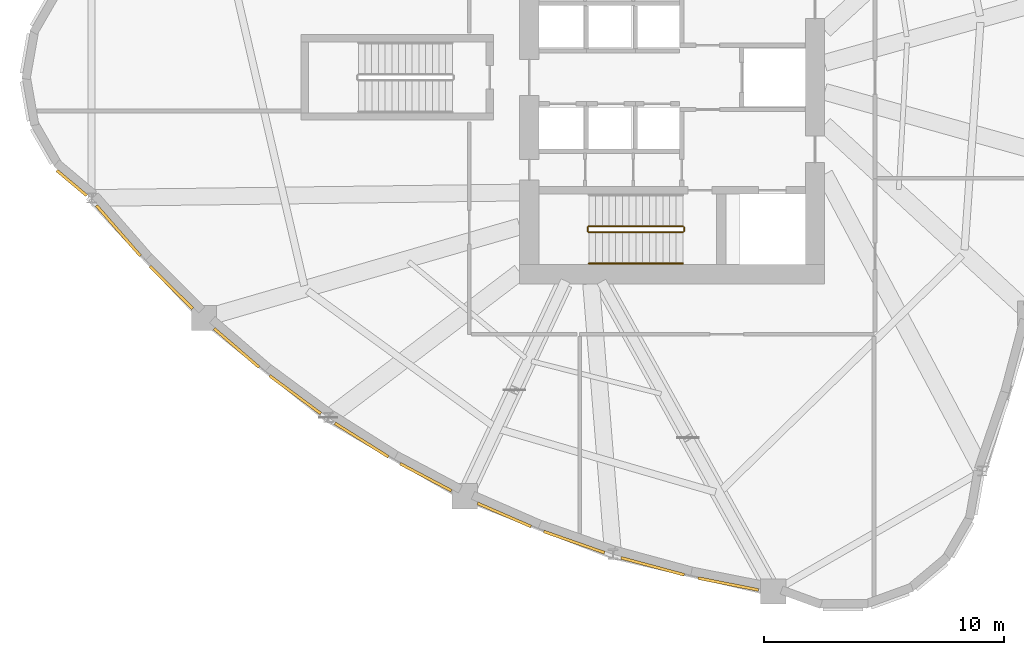
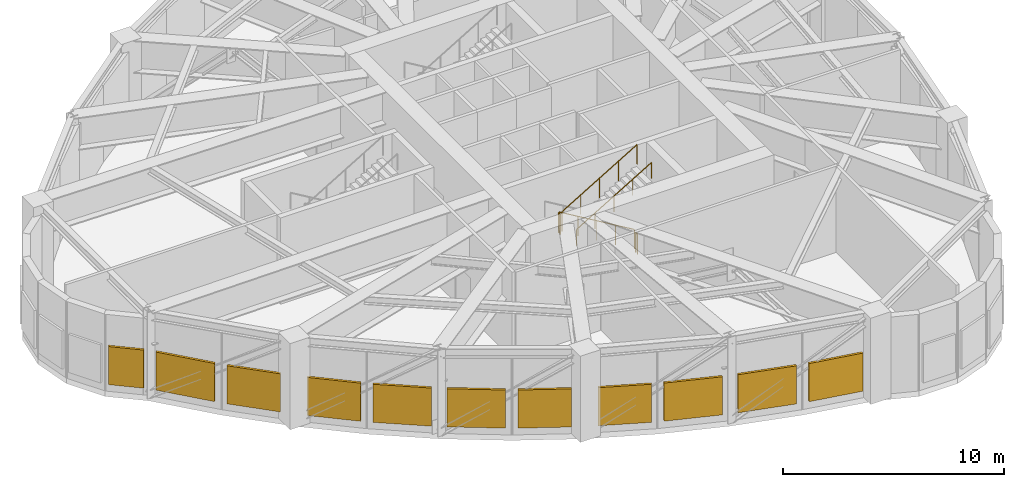
# One storey, part 7 of 9: 11 shading devices, 5 railings.
"""IFC4 building model written with IfcOpenShell, lengths in metres."""

from ifc_helpers import new_model, si_unit, direction, frame, origin, origin_2d, place, context, subcontext, project, spatial, rectangle, circle, extrude, source, transform, mapped, material, layer, layer_set, type_object, element, save


model = new_model("IFC4")

# Units and contexts
model_context = context("Model", 3, precision=1e-05, world=origin(), true_north=direction((0.0, 1.0)))
body_context = subcontext(model_context, "Body", "Model", "MODEL_VIEW")
ifc_project = project(units=[si_unit("LENGTHUNIT", "METRE"), si_unit("AREAUNIT", "SQUARE_METRE"), si_unit("VOLUMEUNIT", "CUBIC_METRE"), si_unit("PLANEANGLEUNIT", "RADIAN"), si_unit("MASSUNIT", "GRAM", prefix="KILO")], contexts=[model_context])

# Site, building, storey
site_placement = place(None, origin())
site = spatial("IfcSite", under=ifc_project, at=site_placement, CompositionType="ELEMENT")
building_placement = place(site_placement, origin())
building = spatial("IfcBuilding", under=site, at=building_placement, Name="Qafzar Sky-Pleat Residences", CompositionType="ELEMENT")
storey_placement = place(building_placement, frame((0.0, 0.0, 65.39990234375)))
storey = spatial("IfcBuildingStorey", under=building, at=storey_placement, Name="L19", CompositionType="ELEMENT", Elevation=65.39990234375)

# Shading devices
ifc_material_1 = material(Name="Anodised bronze aluminium acoustic louvre", Category="aluminium")
ifc_layer = layer(ifc_material_1, 0.1201171875)
ifc_layer_set = layer_set([ifc_layer], Name="Anodised bronze aluminium acoustic louvre")
shading_device_type = type_object("IfcShadingDeviceType", Name="SHD-LOUVRE-PLANT", PredefinedType="JALOUSIE", material=ifc_layer_set)
shared_shape_1 = source(origin(), body_context, "Body", "SweptSolid", [
    extrude(rectangle(XDim=1.625732421875, YDim=0.1201171875, at=origin_2d()), origin(), (0.0, 0.0, 1.0), 2.10009765625),
])
shading_device_1_placement = place(storey_placement, frame((5.345947265625, 21.60107421875, 0.449951171875), z_axis=(0.0, 0.0, 1.0), x_axis=(0.766067269761, -0.642760404972, 0.0)))
element("IfcShadingDevice", 1, at=shading_device_1_placement, inside=storey, type_object=shading_device_type, Name="L19 Plant Acoustic Louvre 6", PredefinedType="JALOUSIE", context=body_context, shape_type="MappedRepresentation", body=[
    mapped(shared_shape_1, transform((0.0, 0.0, 0.0), x_axis=(1.0, 0.0, 0.0), y_axis=(0.0, 1.0, 0.0), z_axis=(0.0, 0.0, 1.0), scale=1.0)),
])
shared_shape_2 = source(origin(), body_context, "Body", "SweptSolid", [
    extrude(rectangle(XDim=2.785888671875, YDim=0.1201171875, at=origin_2d()), origin(), (0.0, 0.0, 1.0), 2.10009765625),
])
shading_device_2_placement = place(storey_placement, frame((7.291748046875, 19.614013671875, 0.449951171875), z_axis=(0.0, 0.0, 1.0), x_axis=(0.65761367339, -0.753355332211, 0.0)))
element("IfcShadingDevice", 2, at=shading_device_2_placement, inside=storey, type_object=shading_device_type, Name="L19 Plant Acoustic Louvre 7", PredefinedType="JALOUSIE", context=body_context, shape_type="MappedRepresentation", body=[
    mapped(shared_shape_2, transform((0.0, 0.0, 0.0), x_axis=(1.0, 0.0, 0.0), y_axis=(0.0, 1.0, 0.0), z_axis=(0.0, 0.0, 1.0), scale=1.0)),
])
shared_shape_3 = source(origin(), body_context, "Body", "SweptSolid", [
    extrude(rectangle(XDim=2.50390625, YDim=0.1201171875, at=origin_2d()), origin(), (0.0, 0.0, 1.0), 2.10009765625),
])
shading_device_3_placement = place(storey_placement, frame((9.49609375, 17.25048828125, 0.449951171875), z_axis=(0.0, 0.0, 1.0), x_axis=(0.708399579852, -0.705811614573, 0.0)))
element("IfcShadingDevice", 3, at=shading_device_3_placement, inside=storey, type_object=shading_device_type, Name="L19 Plant Acoustic Louvre 8", PredefinedType="JALOUSIE", context=body_context, shape_type="MappedRepresentation", body=[
    mapped(shared_shape_3, transform((0.0, 0.0, 0.0), x_axis=(1.0, 0.0, 0.0), y_axis=(0.0, 1.0, 0.0), z_axis=(0.0, 0.0, 1.0), scale=1.0)),
])
shared_shape_4 = source(origin(), body_context, "Body", "SweptSolid", [
    extrude(rectangle(XDim=2.459716796875, YDim=0.1201171875, at=origin_2d()), origin(), (0.0, 0.0, 1.0), 2.10009765625),
])
shading_device_4_placement = place(storey_placement, frame((12.2119140625, 14.732177734375, 0.449951171875), z_axis=(0.0, 0.0, 1.0), x_axis=(0.757485945403, -0.652851470486, 0.0)))
element("IfcShadingDevice", 4, at=shading_device_4_placement, inside=storey, type_object=shading_device_type, Name="L19 Plant Acoustic Louvre 9", PredefinedType="JALOUSIE", context=body_context, shape_type="MappedRepresentation", body=[
    mapped(shared_shape_4, transform((0.0, 0.0, 0.0), x_axis=(1.0, 0.0, 0.0), y_axis=(0.0, 1.0, 0.0), z_axis=(0.0, 0.0, 1.0), scale=1.0)),
])
shared_shape_5 = source(origin(), body_context, "Body", "SweptSolid", [
    extrude(rectangle(XDim=2.65380859375, YDim=0.1201171875, at=origin_2d()), origin(), (0.0, 0.0, 1.0), 2.10009765625),
])
shading_device_5_placement = place(storey_placement, frame((14.6533203125, 12.78662109375, 0.449951171875), z_axis=(0.0, 0.0, 1.0), x_axis=(0.803807590053, -0.594889366331, 0.0)))
element("IfcShadingDevice", 5, at=shading_device_5_placement, inside=storey, type_object=shading_device_type, Name="L19 Plant Acoustic Louvre 10", PredefinedType="JALOUSIE", context=body_context, shape_type="MappedRepresentation", body=[
    mapped(shared_shape_5, transform((0.0, 0.0, 0.0), x_axis=(1.0, 0.0, 0.0), y_axis=(0.0, 1.0, 0.0), z_axis=(0.0, 0.0, 1.0), scale=1.0)),
])
shared_shape_6 = source(origin(), body_context, "Body", "SweptSolid", [
    extrude(rectangle(XDim=2.638671875, YDim=0.1201171875, at=origin_2d()), origin(), (0.0, 0.0, 1.0), 2.10009765625),
])
shading_device_6_placement = place(storey_placement, frame((17.418701171875, 10.89697265625, 0.449951171875), z_axis=(0.0, 0.0, 1.0), x_axis=(0.846415568014, -0.532522944317, 0.0)))
element("IfcShadingDevice", 6, at=shading_device_6_placement, inside=storey, type_object=shading_device_type, Name="L19 Plant Acoustic Louvre 11", PredefinedType="JALOUSIE", context=body_context, shape_type="MappedRepresentation", body=[
    mapped(shared_shape_6, transform((0.0, 0.0, 0.0), x_axis=(1.0, 0.0, 0.0), y_axis=(0.0, 1.0, 0.0), z_axis=(0.0, 0.0, 1.0), scale=1.0)),
])
shared_shape_7 = source(origin(), body_context, "Body", "SweptSolid", [
    extrude(rectangle(XDim=2.414794921875, YDim=0.1201171875, at=origin_2d()), origin(), (0.0, 0.0, 1.0), 2.10009765625),
])
shading_device_7_placement = place(storey_placement, frame((20.087158203125, 9.35009765625, 0.449951171875), z_axis=(0.0, 0.0, 1.0), x_axis=(0.88439159084, -0.466745663131, 0.0)))
element("IfcShadingDevice", 7, at=shading_device_7_placement, inside=storey, type_object=shading_device_type, Name="L19 Plant Acoustic Louvre 12", PredefinedType="JALOUSIE", context=body_context, shape_type="MappedRepresentation", body=[
    mapped(shared_shape_7, transform((0.0, 0.0, 0.0), x_axis=(1.0, 0.0, 0.0), y_axis=(0.0, 1.0, 0.0), z_axis=(0.0, 0.0, 1.0), scale=1.0)),
])
shared_shape_8 = source(origin(), body_context, "Body", "SweptSolid", [
    extrude(rectangle(XDim=2.4296875, YDim=0.1201171875, at=origin_2d()), origin(), (0.0, 0.0, 1.0), 2.10009765625),
])
shading_device_8_placement = place(storey_placement, frame((23.358642578125, 7.77880859375, 0.449951171875), z_axis=(0.0, 0.0, 1.0), x_axis=(0.917082095474, -0.398698420064, 0.0)))
element("IfcShadingDevice", 8, at=shading_device_8_placement, inside=storey, type_object=shading_device_type, Name="L19 Plant Acoustic Louvre 13", PredefinedType="JALOUSIE", context=body_context, shape_type="MappedRepresentation", body=[
    mapped(shared_shape_8, transform((0.0, 0.0, 0.0), x_axis=(1.0, 0.0, 0.0), y_axis=(0.0, 1.0, 0.0), z_axis=(0.0, 0.0, 1.0), scale=1.0)),
])
shared_shape_9 = source(origin(), body_context, "Body", "SweptSolid", [
    extrude(rectangle(XDim=2.68359375, YDim=0.1201171875, at=origin_2d()), origin(), (0.0, 0.0, 1.0), 2.10009765625),
])
shading_device_9_placement = place(storey_placement, frame((26.267822265625, 6.64697265625, 0.449951171875), z_axis=(0.0, 0.0, 1.0), x_axis=(0.944135482302, -0.329557568655, 0.0)))
element("IfcShadingDevice", 9, at=shading_device_9_placement, inside=storey, type_object=shading_device_type, Name="L19 Plant Acoustic Louvre 14", PredefinedType="JALOUSIE", context=body_context, shape_type="MappedRepresentation", body=[
    mapped(shared_shape_9, transform((0.0, 0.0, 0.0), x_axis=(1.0, 0.0, 0.0), y_axis=(0.0, 1.0, 0.0), z_axis=(0.0, 0.0, 1.0), scale=1.0)),
])
shared_shape_10 = source(origin(), body_context, "Body", "SweptSolid", [
    extrude(rectangle(XDim=2.727783203125, YDim=0.1201171875, at=origin_2d()), origin(), (0.0, 0.0, 1.0), 2.10009765625),
])
shading_device_10_placement = place(storey_placement, frame((29.53955078125, 5.636962890625, 0.449951171875), z_axis=(0.0, 0.0, 1.0), x_axis=(0.965456162425, -0.260565535778, 0.0)))
element("IfcShadingDevice", 10, at=shading_device_10_placement, inside=storey, type_object=shading_device_type, Name="L19 Plant Acoustic Louvre 15", PredefinedType="JALOUSIE", context=body_context, shape_type="MappedRepresentation", body=[
    mapped(shared_shape_10, transform((0.0, 0.0, 0.0), x_axis=(1.0, 0.0, 0.0), y_axis=(0.0, 1.0, 0.0), z_axis=(0.0, 0.0, 1.0), scale=1.0)),
])
shared_shape_11 = source(origin(), body_context, "Body", "SweptSolid", [
    extrude(rectangle(XDim=2.56201171875, YDim=0.1201171875, at=origin_2d()), origin(), (0.0, 0.0, 1.0), 2.10009765625),
])
shading_device_11_placement = place(storey_placement, frame((32.686279296875, 4.900146484375, 0.449951171875), z_axis=(0.0, 0.0, 1.0), x_axis=(0.981232153212, -0.192830136397, 0.0)))
element("IfcShadingDevice", 11, at=shading_device_11_placement, inside=storey, type_object=shading_device_type, Name="L19 Plant Acoustic Louvre 16", PredefinedType="JALOUSIE", context=body_context, shape_type="MappedRepresentation", body=[
    mapped(shared_shape_11, transform((0.0, 0.0, 0.0), x_axis=(1.0, 0.0, 0.0), y_axis=(0.0, 1.0, 0.0), z_axis=(0.0, 0.0, 1.0), scale=1.0)),
])

# Railings
ifc_material_2 = material(Name="Painted Steel S355 stair guardrail", Category="steel")
railing_type_1 = type_object("IfcRailingType", Name="RAIL-STAIR-GUARD", PredefinedType="GUARDRAIL", material=ifc_material_2)
shared_shape_12 = source(origin(), body_context, "Body", "SweptSolid", [
    extrude(circle(Radius=0.02392578125, at=origin_2d()), frame((0.0, 0.0, 1.076171875), z_axis=(0.0, -1.0, 0.0), x_axis=(1.0, 0.0, 0.0)), (0.0, 0.0, 1.0), 0.14990234375),
    extrude(circle(Radius=0.02099609375, at=origin_2d()), origin(), (0.0, 0.0, 1.0), 1.052001953125),
    extrude(circle(Radius=0.02099609375, at=origin_2d()), frame((0.0, -0.14990234375, 0.0)), (0.0, 0.0, 1.0), 1.052001953125),
])
for number, where, name in (
    (12, (26.830078125, 19.75, 2.5), "L19 ST1 stair guard 2"),
    (13, (30.85009765625, 19.75, 0.0), "L19 ST1 stair guard 4"),
):
    element("IfcRailing", number, at=place(storey_placement, frame(where)), inside=storey, type_object=railing_type_1, Name=name, PredefinedType="GUARDRAIL", context=body_context, shape_type="MappedRepresentation", body=[
        mapped(shared_shape_12, transform((0.0, 0.0, 0.0), x_axis=(1.0, 0.0, 0.0), y_axis=(0.0, 1.0, 0.0), z_axis=(0.0, 0.0, 1.0), scale=1.0)),
    ])
shared_shape_13 = source(origin(), body_context, "Body", "SweptSolid", [
    extrude(circle(Radius=0.02392578125, at=origin_2d()), frame((0.0, 0.0, 1.076171875), z_axis=(-0.859310244771, 0.0, 0.511454693235), x_axis=(0.0, -1.0, 0.0)), (0.0, 0.0, 1.0), 4.56201171875),
    extrude(circle(Radius=0.02099609375, at=origin_2d()), origin(), (0.0, 0.0, 1.0), 1.052001953125),
    extrude(circle(Radius=0.02099609375, at=origin_2d()), frame((-0.97998046875, 0.0, 0.583251953125)), (0.0, 0.0, 1.0), 1.052001953125),
    extrude(circle(Radius=0.02099609375, at=origin_2d()), frame((-1.9599609375, 0.0, 1.16650390625)), (0.0, 0.0, 1.0), 1.052001953125),
    extrude(circle(Radius=0.02099609375, at=origin_2d()), frame((-2.940185546875, 0.0, 1.75)), (0.0, 0.0, 1.0), 1.052001953125),
    extrude(circle(Radius=0.02099609375, at=origin_2d()), frame((-3.920166015625, 0.0, 2.333251953125)), (0.0, 0.0, 1.0), 1.052001953125),
])
railing_1_placement = place(storey_placement, frame((30.800048828125, 19.800048828125, 0.166748046875)))
element("IfcRailing", 14, at=railing_1_placement, inside=storey, type_object=railing_type_1, Name="L19 ST1 stair guard 1", PredefinedType="GUARDRAIL", context=body_context, shape_type="MappedRepresentation", body=[
    mapped(shared_shape_13, transform((0.0, 0.0, 0.0), x_axis=(1.0, 0.0, 0.0), y_axis=(0.0, 1.0, 0.0), z_axis=(0.0, 0.0, 1.0), scale=1.0)),
])
shared_shape_14 = source(origin(), body_context, "Body", "SweptSolid", [
    extrude(circle(Radius=0.02392578125, at=origin_2d()), frame((0.0, 0.0, 1.076171875), z_axis=(0.859310244771, 0.0, 0.511454693235), x_axis=(0.0, 1.0, 0.0)), (0.0, 0.0, 1.0), 4.56201171875),
    extrude(circle(Radius=0.02099609375, at=origin_2d()), origin(), (0.0, 0.0, 1.0), 1.052001953125),
    extrude(circle(Radius=0.02099609375, at=origin_2d()), frame((0.97998046875, 0.0, 0.583251953125)), (0.0, 0.0, 1.0), 1.052001953125),
    extrude(circle(Radius=0.02099609375, at=origin_2d()), frame((1.9599609375, 0.0, 1.16650390625)), (0.0, 0.0, 1.0), 1.052001953125),
    extrude(circle(Radius=0.02099609375, at=origin_2d()), frame((2.940185546875, 0.0, 1.75)), (0.0, 0.0, 1.0), 1.052001953125),
    extrude(circle(Radius=0.02099609375, at=origin_2d()), frame((3.920166015625, 0.0, 2.333251953125)), (0.0, 0.0, 1.0), 1.052001953125),
])
railing_2_placement = place(storey_placement, frame((26.8798828125, 19.550048828125, 2.666748046875)))
element("IfcRailing", 15, at=railing_2_placement, inside=storey, type_object=railing_type_1, Name="L19 ST1 stair guard 3", PredefinedType="GUARDRAIL", context=body_context, shape_type="MappedRepresentation", body=[
    mapped(shared_shape_14, transform((0.0, 0.0, 0.0), x_axis=(1.0, 0.0, 0.0), y_axis=(0.0, 1.0, 0.0), z_axis=(0.0, 0.0, 1.0), scale=1.0)),
])
ifc_material_3 = material(Name="Brushed stainless steel handrail", Category="steel")
railing_type_2 = type_object("IfcRailingType", Name="RAIL-STAIR-HAND", PredefinedType="HANDRAIL", material=ifc_material_3)
shared_shape_15 = source(origin(), body_context, "Body", "SweptSolid", [
    extrude(circle(Radius=0.02392578125, at=origin_2d()), frame((0.0, 0.0, 0.8759765625), z_axis=(0.859310244771, 0.0, 0.511454693235), x_axis=(0.0, 1.0, 0.0)), (0.0, 0.0, 1.0), 4.56201171875),
    extrude(circle(Radius=0.02099609375, at=origin_2d()), origin(), (0.0, 0.0, 1.0), 0.851806640625),
    extrude(circle(Radius=0.02099609375, at=origin_2d()), frame((0.97998046875, 0.0, 0.583251953125)), (0.0, 0.0, 1.0), 0.851806640625),
    extrude(circle(Radius=0.02099609375, at=origin_2d()), frame((1.9599609375, 0.0, 1.16650390625)), (0.0, 0.0, 1.0), 0.851806640625),
    extrude(circle(Radius=0.02099609375, at=origin_2d()), frame((2.940185546875, 0.0, 1.75)), (0.0, 0.0, 1.0), 0.851806640625),
    extrude(circle(Radius=0.02099609375, at=origin_2d()), frame((3.920166015625, 0.0, 2.333251953125)), (0.0, 0.0, 1.0), 0.851806640625),
])
railing_3_placement = place(storey_placement, frame((26.8798828125, 18.25, 2.666748046875)))
element("IfcRailing", 16, at=railing_3_placement, inside=storey, type_object=railing_type_2, Name="L19 ST1 stair handrail 2", PredefinedType="HANDRAIL", context=body_context, shape_type="MappedRepresentation", body=[
    mapped(shared_shape_15, transform((0.0, 0.0, 0.0), x_axis=(1.0, 0.0, 0.0), y_axis=(0.0, 1.0, 0.0), z_axis=(0.0, 0.0, 1.0), scale=1.0)),
])

save(model, "model.ifc")
